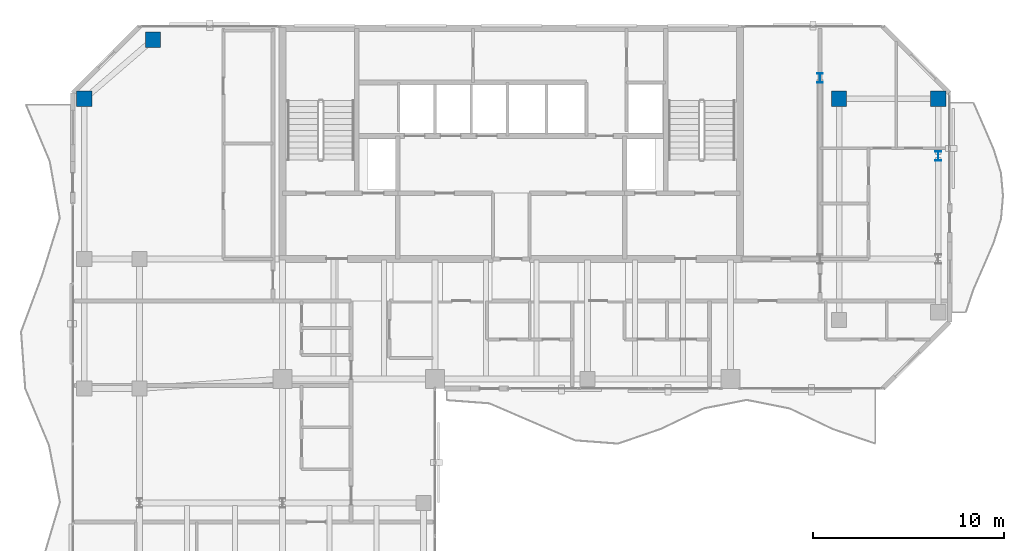
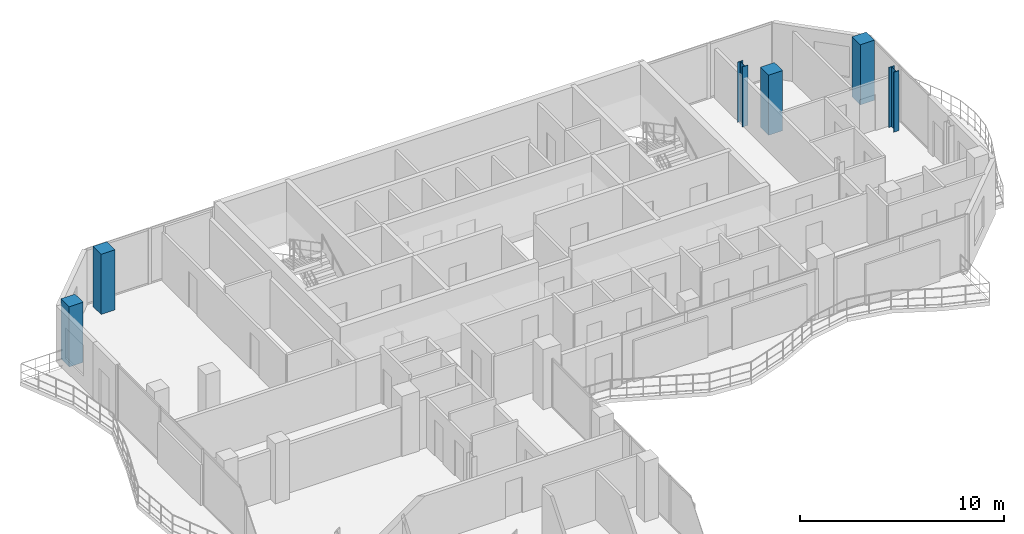
# One storey, part 2 of 23: 6 columns.
"""IFC4 building model written with IfcOpenShell, lengths in metres."""

from ifc_helpers import new_model, si_unit, direction, frame, origin, origin_2d, place, context, subcontext, project, spatial, rectangle, i_section, extrude, material, material_profile, profile_set, type_object, element, save


model = new_model("IFC4")

# Units and contexts
model_context = context("Model", 3, precision=1e-05, world=origin(), true_north=direction((0.0, 1.0)))
body_context = subcontext(model_context, "Body", "Model", "MODEL_VIEW")
ifc_project = project(units=[si_unit("LENGTHUNIT", "METRE"), si_unit("AREAUNIT", "SQUARE_METRE"), si_unit("VOLUMEUNIT", "CUBIC_METRE"), si_unit("PLANEANGLEUNIT", "RADIAN"), si_unit("MASSUNIT", "GRAM", prefix="KILO")], contexts=[model_context])

# Site, building, storey
site_placement = place(None, origin())
site = spatial("IfcSite", under=ifc_project, at=site_placement, CompositionType="ELEMENT")
building_placement = place(site_placement, origin())
building = spatial("IfcBuilding", under=site, at=building_placement, Name="Catumbela Crestline Tower", CompositionType="ELEMENT")
storey_placement = place(building_placement, frame((0.0, 0.0, 179.4)))
storey = spatial("IfcBuildingStorey", under=building, at=storey_placement, Name="L46", CompositionType="ELEMENT", Elevation=179.4)

# Columns
ifc_material_1 = material(Name="Concrete C50/60", Category="concrete")
ifc_material_profile_1 = material_profile(ifc_material_1, rectangle(XDim=0.8, YDim=0.8, at=origin_2d()), Name="RC 800x800")
ifc_profile_set_1 = profile_set([ifc_material_profile_1], Name="Concrete C50/60")
column_type_1 = type_object("IfcColumnType", Name="C-RC800-C50", PredefinedType="COLUMN", material=ifc_profile_set_1)
for number, where, z_axis, x_axis, name in (
    (1, (5.6, 39.2, 0.0), (0.0, 0.0, 1.0), (1.0, 0.0, 0.0), "L46 Column C-05-43 (RC 800x800)"),
    (2, (9.2, 42.3, 0.0), (0.0, 0.0, 1.0), (1.0, 0.0, 0.0), "L46 Column C-08-43 (RC 800x800)"),
    (3, (45.2, 39.2, 0.0), (0.0, 0.0, 1.0), (1.0, 0.0, 0.0), "L46 Column C-46-43 (RC 800x800)"),
    (4, (50.4, 39.2, 0.0), (0.0, 0.0, 1.0), (1.0, 0.0, 0.0), "L46 Column C-51-43 (RC 800x800)"),
):
    element("IfcColumn", number, at=place(storey_placement, frame(where, z_axis=z_axis, x_axis=x_axis)), inside=storey, type_object=column_type_1, Name=name, PredefinedType="COLUMN", context=body_context, shape_type="SweptSolid", body=[
        extrude(rectangle(XDim=0.8, YDim=0.8, at=origin_2d()), origin(), (0.0, 0.0, 1.0), 3.6),
    ])
ifc_material_2 = material(Name="Structural steel S355J2", Category="steel")
ifc_material_profile_2 = material_profile(ifc_material_2, i_section(OverallWidth=0.3, OverallDepth=0.5, WebThickness=0.0145, FlangeThickness=0.028, FilletRadius=0.027, at=origin_2d()), Name="HEB 500")
ifc_profile_set_2 = profile_set([ifc_material_profile_2], Name="Structural steel S355J2")
column_type_2 = type_object("IfcColumnType", Name="C-ST-HEB500", PredefinedType="COLUMN", material=ifc_profile_set_2)
for number, where, z_axis, x_axis, name in (
    (5, (44.2, 40.3, 0.0), (0.0, 0.0, 1.0), (1.0, 0.0, 0.0), "L46 Column CT-46-37 (HEB 500)"),
    (6, (50.4, 36.2, 0.0), (0.0, 0.0, 1.0), (1.0, 0.0, 0.0), "L46 Column CT-51-37 (HEB 500)"),
):
    element("IfcColumn", number, at=place(storey_placement, frame(where, z_axis=z_axis, x_axis=x_axis)), inside=storey, type_object=column_type_2, Name=name, PredefinedType="COLUMN", context=body_context, shape_type="SweptSolid", body=[
        extrude(i_section(OverallWidth=0.3, OverallDepth=0.5, WebThickness=0.0145, FlangeThickness=0.028, FilletRadius=0.027, at=origin_2d()), origin(), (0.0, 0.0, 1.0), 3.6),
    ])

save(model, "model.ifc")
